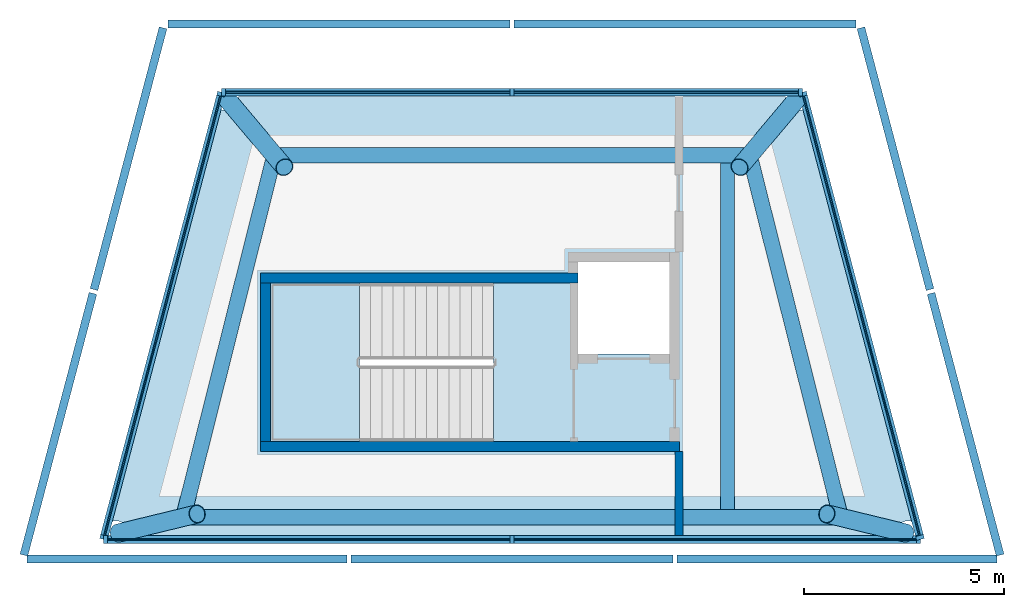
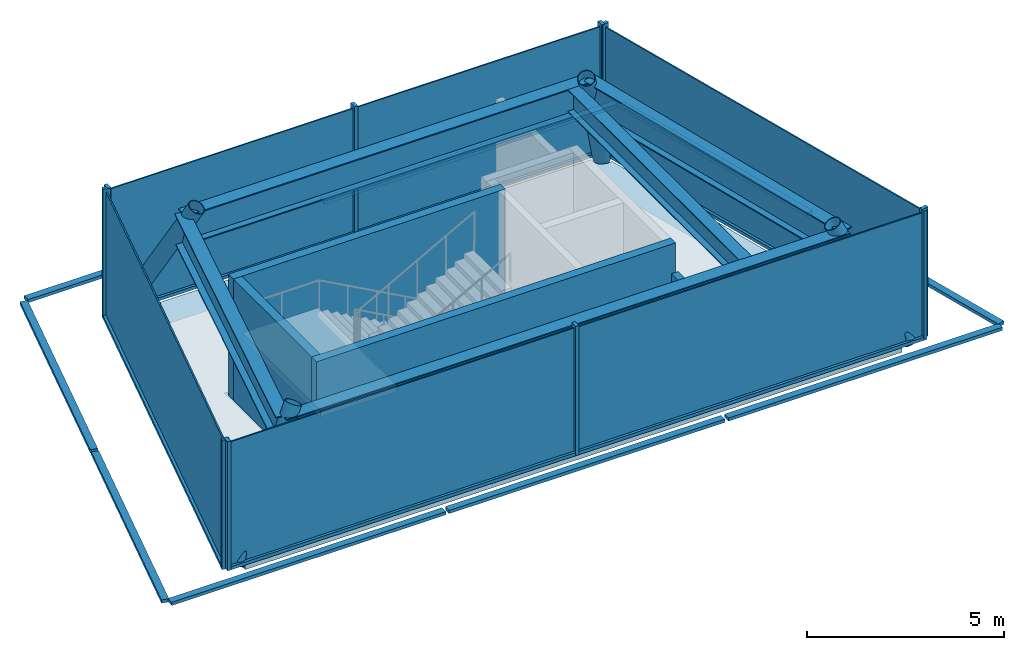
"""IFC4 building model written with IfcOpenShell, lengths in metres."""

import ifcopenshell
import ifcopenshell.guid

model = None  # the IFC model being written
_history = None  # IfcOwnerHistory: only IFC2X3 demands one
_inside = {}  # id of a spatial element -> (the spatial element, [elements in it])
_under = {}  # id of a project, library or spatial element -> (it, [spatial elements below it])
_declared = {}  # id of a project -> (the project, [libraries it declares])
_typed = {}  # id of a type object -> (the type object, [elements of that type])
_made_of = {}  # id of a material, layer set ... -> (it, [elements and type objects made of it])


def new_model(schema):
    """Start an empty IFC model of exactly this schema.

    Asked for "IFC4X3", IfcOpenShell would pick the latest addendum, in which some entities
    have other attributes; the version numbers below select the first issue.
    IFC2X3 requires an IfcOwnerHistory on every rooted entity: one is made here for all.
    """
    global model, _history
    if schema == "IFC4X3":
        model = ifcopenshell.file(schema_version=(4, 3, 0, 0))
    else:
        model = ifcopenshell.file(schema=schema)
    _inside.clear()
    _under.clear()
    _declared.clear()
    _typed.clear()
    _made_of.clear()
    _history = None
    if model.schema == "IFC2X3":
        org = make("IfcOrganization", Name="unknown")
        user = make(
            "IfcPersonAndOrganization",
            ThePerson=make("IfcPerson", FamilyName="unknown"),
            TheOrganization=org,
        )
        app = make(
            "IfcApplication",
            ApplicationDeveloper=org,
            Version="unknown",
            ApplicationFullName="unknown",
            ApplicationIdentifier="unknown",
        )
        _history = make(
            "IfcOwnerHistory",
            OwningUser=user,
            OwningApplication=app,
            ChangeAction="ADDED",
            CreationDate=0,
        )
    return model


def make(cls, **values):
    """One entity of the class cls with the attributes given. An attribute that is None is left unset."""
    return model.create_entity(
        cls, **{name: value for name, value in values.items() if value is not None}
    )


def rooted(cls, **values):
    """An entity with a GlobalId (a new one), such as an element, a storey or a relation."""
    return make(cls, GlobalId=ifcopenshell.guid.new(), OwnerHistory=_history, **values)


def si_unit(unit_type, name, prefix=None):
    """IfcSIUnit, for example si_unit("LENGTHUNIT", "METRE", prefix="MILLI")."""
    return make("IfcSIUnit", UnitType=unit_type, Prefix=prefix, Name=name)


def assignment(units):
    """IfcUnitAssignment: the units of a project."""
    return None if units is None else make("IfcUnitAssignment", Units=units)


def point(xyz):
    """IfcCartesianPoint."""
    return None if xyz is None else make("IfcCartesianPoint", Coordinates=xyz)


def direction(xyz):
    """IfcDirection."""
    return None if xyz is None else make("IfcDirection", DirectionRatios=xyz)


def frame(location, z_axis=None, x_axis=None):
    """IfcAxis2Placement3D, a coordinate frame: its origin and axes. An axis left out is left unset."""
    return make(
        "IfcAxis2Placement3D",
        Location=point(location),
        Axis=direction(z_axis),
        RefDirection=direction(x_axis),
    )


def frame_2d(location, x_axis=None):
    """IfcAxis2Placement2D, a coordinate frame in the plane: its origin and x axis."""
    return make(
        "IfcAxis2Placement2D", Location=point(location), RefDirection=direction(x_axis)
    )


def origin():
    """The frame at (0, 0, 0) with its axes left unset."""
    return frame((0.0, 0.0, 0.0))


def origin_2d():
    """The frame at (0, 0) in the plane with its x axis left unset."""
    return frame_2d((0.0, 0.0))


def place(relative_to, where):
    """IfcLocalPlacement: puts the frame where relative to a parent placement (None: the world)."""
    return make(
        "IfcLocalPlacement", PlacementRelTo=relative_to, RelativePlacement=where
    )


def context(
    kind, dimensions, precision=None, world=None, true_north=None, identifier=None
):
    """IfcGeometricRepresentationContext, for example the 3D "Model" context."""
    return make(
        "IfcGeometricRepresentationContext",
        ContextIdentifier=identifier,
        ContextType=kind,
        CoordinateSpaceDimension=dimensions,
        Precision=precision,
        WorldCoordinateSystem=world,
        TrueNorth=true_north,
    )


def subcontext(parent, identifier, kind, view, scale=None):
    """IfcGeometricRepresentationSubContext, for example "Body" below "Model"."""
    return make(
        "IfcGeometricRepresentationSubContext",
        ContextIdentifier=identifier,
        ContextType=kind,
        ParentContext=parent,
        TargetScale=scale,
        TargetView=view,
    )


def project(units=None, contexts=None):
    """IfcProject with its units and contexts."""
    return rooted(
        "IfcProject",
        Name="project",
        RepresentationContexts=contexts,
        UnitsInContext=assignment(units),
    )


def spatial(cls, under=None, at=None, **own):
    """A site, building, storey or space (cls), placed at a placement, below another one or the project."""
    s = rooted(cls, ObjectPlacement=at, **own)
    if under is not None:
        _under.setdefault(under.id(), (under, []))[1].append(s)
    return s


def polyline(points):
    """IfcPolyline through the points."""
    return make("IfcPolyline", Points=[point(p) for p in points])


def profile(cls, at=None, kind="AREA", **sizes):
    """A parametric profile (cls). Its sizes go by their IFC names, for example OverallWidth=200.0."""
    return make(cls, ProfileType=kind, Position=at, **sizes)


def rectangle(**sizes):
    """IfcRectangleProfileDef."""
    return profile("IfcRectangleProfileDef", **sizes)


def hollow_circle(**sizes):
    """IfcCircleHollowProfileDef."""
    return profile("IfcCircleHollowProfileDef", **sizes)


def i_section(**sizes):
    """IfcIShapeProfileDef."""
    return profile("IfcIShapeProfileDef", **sizes)


def outline(outer, holes=None, kind="AREA"):
    """IfcArbitraryClosedProfileDef: a profile drawn as a closed curve; with holes, ...WithVoids."""
    if holes is None:
        return make("IfcArbitraryClosedProfileDef", ProfileType=kind, OuterCurve=outer)
    return make(
        "IfcArbitraryProfileDefWithVoids",
        ProfileType=kind,
        OuterCurve=outer,
        InnerCurves=holes,
    )


def extrude(swept, where, along, depth):
    """IfcExtrudedAreaSolid: the profile swept, set in the frame where, extruded along a direction by depth."""
    return make(
        "IfcExtrudedAreaSolid",
        SweptArea=swept,
        Position=where,
        ExtrudedDirection=direction(along),
        Depth=depth,
    )


def shape(context_of_items, identifier, shape_type, items):
    """IfcShapeRepresentation: the items that make up one representation, for example the "Body"."""
    return make(
        "IfcShapeRepresentation",
        ContextOfItems=context_of_items,
        RepresentationIdentifier=identifier,
        RepresentationType=shape_type,
        Items=items,
    )


def material(Name=None, Category=None):
    """IfcMaterial."""
    return make("IfcMaterial", Name=Name, Category=Category)


def layer(
    of_material, thickness, ventilated=None, Name=None, Category=None, Priority=None
):
    """IfcMaterialLayer: one layer of a wall or slab, of a material (None: an air gap)."""
    return make(
        "IfcMaterialLayer",
        Material=of_material,
        LayerThickness=thickness,
        IsVentilated=ventilated,
        Name=Name,
        Category=Category,
        Priority=Priority,
    )


def layer_set(layers, Name=None):
    """IfcMaterialLayerSet."""
    return make("IfcMaterialLayerSet", MaterialLayers=layers, LayerSetName=Name)


def material_profile(
    of_material, cross_section, Name=None, Category=None, Priority=None
):
    """IfcMaterialProfile: a cross section and its material."""
    return make(
        "IfcMaterialProfile",
        Name=Name,
        Material=of_material,
        Profile=cross_section,
        Priority=Priority,
        Category=Category,
    )


def profile_set(profiles, Name=None, composite=None):
    """IfcMaterialProfileSet."""
    return make(
        "IfcMaterialProfileSet",
        Name=Name,
        MaterialProfiles=profiles,
        CompositeProfile=composite,
    )


def made_of(thing, what):
    """Note that an element or type object is made of a material, layer set ...; save() writes the relation."""
    if what is not None:
        _made_of.setdefault(what.id(), (what, []))[1].append(thing)
    return thing


def type_object(cls, material=None, **own):
    """A type object (cls), such as IfcWallType, which elements share."""
    return made_of(rooted(cls, **own), material)


def element(
    cls,
    number,
    at=None,
    inside=None,
    cuts=None,
    type_object=None,
    material=None,
    context=None,
    identifier="Body",
    shape_type=None,
    held_by="IfcProductDefinitionShape",
    body=None,
    shapes=None,
    **own,
):
    """One element of the class cls, such as IfcWall. Its Tag is "e" and its number.

    at: its placement. inside: the storey or other place that contains it. cuts: it is an
    opening in that element (IfcRelVoidsElement). A single representation is given by context,
    identifier, shape_type and body (its items); several are given by shapes. held_by: the class
    of the entity that holds the representations. save() writes the other relations.
    """
    e = rooted(cls, Tag="e%d" % number, ObjectPlacement=at, **own)
    if body is not None:
        shapes = [shape(context, identifier, shape_type, body)]
    if shapes is not None:
        e.Representation = make(held_by, Representations=shapes)
    if inside is not None:
        _inside.setdefault(inside.id(), (inside, []))[1].append(e)
    if cuts is not None:
        rooted(
            "IfcRelVoidsElement", RelatingBuildingElement=cuts, RelatedOpeningElement=e
        )
    if type_object is not None:
        _typed.setdefault(type_object.id(), (type_object, []))[1].append(e)
    return made_of(e, material)


def aggregate(whole, parts):
    """IfcRelAggregates: a whole, such as a stair, and the parts it consists of."""
    return rooted("IfcRelAggregates", RelatingObject=whole, RelatedObjects=parts)


def save(model, path):
    """Write the relations noted so far, then the file.

    IfcRelAggregates (storeys below a building ...), IfcRelContainedInSpatialStructure (elements
    in a storey), IfcRelDefinesByType, IfcRelAssociatesMaterial and IfcRelDeclares: one each for
    every whole, place, type object, material and project.
    """
    for whole, parts in _under.values():
        aggregate(whole, parts)
    for where, things in _inside.values():
        rooted(
            "IfcRelContainedInSpatialStructure",
            RelatedElements=things,
            RelatingStructure=where,
        )
    for kind, things in _typed.values():
        rooted("IfcRelDefinesByType", RelatedObjects=things, RelatingType=kind)
    for what, things in _made_of.values():
        rooted("IfcRelAssociatesMaterial", RelatedObjects=things, RelatingMaterial=what)
    for by, libraries in _declared.values():
        rooted("IfcRelDeclares", RelatingContext=by, RelatedDefinitions=libraries)
    model.write(path)


model = new_model("IFC4")

# Units and contexts
model_context = context("Model", 3, precision=1e-05, world=origin(), true_north=direction((0.0, 1.0)))
body_context = subcontext(model_context, "Body", "Model", "MODEL_VIEW")
ifc_project = project(units=[si_unit("LENGTHUNIT", "METRE"), si_unit("AREAUNIT", "SQUARE_METRE"), si_unit("VOLUMEUNIT", "CUBIC_METRE"), si_unit("PLANEANGLEUNIT", "RADIAN"), si_unit("MASSUNIT", "GRAM", prefix="KILO")], contexts=[model_context])

# Site, building, storey
site_placement = place(None, origin())
site = spatial("IfcSite", under=ifc_project, at=site_placement, CompositionType="ELEMENT")
building_placement = place(site_placement, origin())
building = spatial("IfcBuilding", under=site, at=building_placement, Name="Quipu Civic Tower", CompositionType="ELEMENT")
storey_1_placement = place(building_placement, frame((0.0, 0.0, 384.0)))
storey_1 = spatial("IfcBuildingStorey", under=building, at=storey_1_placement, Name="L89", CompositionType="ELEMENT", Elevation=384.0)

# Beam
ifc_material_1 = material(Name="Steel ASTM A992 Grade 50 (fy 345 MPa)", Category="steel")
ifc_material_profile_1 = material_profile(ifc_material_1, i_section(OverallWidth=0.354736328125, OverallDepth=0.695556640625, WebThickness=0.015380859375, FlangeThickness=0.02490234375, at=origin_2d()), Name="W690x217")
ifc_profile_set_1 = profile_set([ifc_material_profile_1], Name="Steel ASTM A992 Grade 50 (fy 345 MPa)")
beam_type_1 = type_object("IfcBeamType", Name="Crown floor beam W690x217", PredefinedType="BEAM", material=ifc_profile_set_1)
beam_1_placement = place(storey_1_placement, frame((5.39990234375, -7.9052734375, 3.40234375), z_axis=(0.0, 1.0, 0.0), x_axis=(-1.0, 0.0, 0.0)))
element("IfcBeam", 1, at=beam_1_placement, inside=storey_1, type_object=beam_type_1, Name="Crown floor beam L89 454", PredefinedType="BEAM", context=body_context, shape_type="SweptSolid", body=[
    extrude(i_section(OverallWidth=0.354736328125, OverallDepth=0.695556640625, WebThickness=0.015380859375, FlangeThickness=0.02490234375, at=origin_2d()), origin(), (0.0, 0.0, 1.0), 8.68408203125),
])

# Members
ifc_material_2 = material(Name="Steel ASTM A500 Grade C (fy 345 MPa)", Category="steel")
ifc_material_profile_2 = material_profile(ifc_material_2, hollow_circle(Radius=0.228515625, WallThickness=0.015869140625, at=origin_2d()), Name="HSS457x15.9")
ifc_profile_set_2 = profile_set([ifc_material_profile_2], Name="Steel ASTM A500 Grade C (fy 345 MPa)")
member_type_1 = type_object("IfcMemberType", Name="Crown leg HSS457x15.9", PredefinedType="BRACE", material=ifc_profile_set_2)
for number, where, z_axis, x_axis, name in (
    (2, (-9.859375, -8.490966796875, 0.0), (0.439651535903, 0.106578891581, 0.891822553453), (-0.235593138069, 0.971851775373, 0.0), "Crown leg L89 1"),
    (3, (9.859375, -8.490966796875, 0.0), (-0.439651535903, 0.106578891581, 0.891822553453), (-0.235593138069, -0.971851775373, 0.0), "Crown leg L89 2"),
):
    element("IfcMember", number, at=place(storey_1_placement, frame(where, z_axis=z_axis, x_axis=x_axis)), inside=storey_1, type_object=member_type_1, Name=name, PredefinedType="BRACE", context=body_context, shape_type="SweptSolid", body=[
        extrude(hollow_circle(Radius=0.228515625, WallThickness=0.015869140625, at=origin_2d()), origin(), (0.0, 0.0, 1.0), 4.485107421875),
    ])
for number, where, z_axis, x_axis, name in (
    (4, (7.1259765625, 2.364990234375, 0.0), (-0.31173974272, -0.370327801271, 0.875028943758), (0.765028489332, -0.643996436722, 0.0), "Crown leg L89 3"),
    (5, (-7.1259765625, 2.364990234375, 0.0), (0.31173974272, -0.370327801271, 0.875028943758), (0.765028489332, 0.643996436722, 0.0), "Crown leg L89 4"),
):
    element("IfcMember", number, at=place(storey_1_placement, frame(where, z_axis=z_axis, x_axis=x_axis)), inside=storey_1, type_object=member_type_1, Name=name, PredefinedType="BRACE", context=body_context, shape_type="SweptSolid", body=[
        extrude(hollow_circle(Radius=0.228515625, WallThickness=0.015869140625, at=origin_2d()), origin(), (0.0, 0.0, 1.0), 4.5712890625),
    ])

# Beams
ifc_material_3 = material(Name="Steel ASTM A992 Grade 50 (fy 345 MPa)", Category="steel")
ifc_material_profile_3 = material_profile(ifc_material_3, i_section(OverallWidth=0.384033203125, OverallDepth=0.911865234375, WebThickness=0.019287109375, FlangeThickness=0.031982421875, at=origin_2d()), Name="W920x342")
ifc_profile_set_3 = profile_set([ifc_material_profile_3], Name="Steel ASTM A992 Grade 50 (fy 345 MPa)")
beam_type_2 = type_object("IfcBeamType", Name="Crown ring girder W920x342", PredefinedType="BEAM", material=ifc_profile_set_3)
beam_2_placement = place(storey_1_placement, frame((-8.235595703125, -8.09716796875, 3.294189453125), z_axis=(1.0, 0.0, 0.0), x_axis=(0.0, 1.0, 0.0)))
element("IfcBeam", 6, at=beam_2_placement, inside=storey_1, type_object=beam_type_2, Name="Crown ring girder L89 1 to 2", PredefinedType="BEAM", context=body_context, shape_type="SweptSolid", body=[
    extrude(i_section(OverallWidth=0.384033203125, OverallDepth=0.911865234375, WebThickness=0.019287109375, FlangeThickness=0.031982421875, at=origin_2d()), origin(), (0.0, 0.0, 1.0), 16.47119140625),
])
beam_3_placement = place(storey_1_placement, frame((8.235595703125, -8.09716796875, 3.294189453125), z_axis=(-0.244169383934, 0.969732598168, 0.0), x_axis=(-0.969732598168, -0.244169383934, 0.0)))
element("IfcBeam", 7, at=beam_3_placement, inside=storey_1, type_object=beam_type_2, Name="Crown ring girder L89 2 to 3", PredefinedType="BEAM", context=body_context, shape_type="SweptSolid", body=[
    extrude(i_section(OverallWidth=0.384033203125, OverallDepth=0.911865234375, WebThickness=0.019287109375, FlangeThickness=0.031982421875, at=origin_2d()), origin(), (0.0, 0.0, 1.0), 9.350830078125),
])
beam_4_placement = place(storey_1_placement, frame((5.952392578125, 0.970703125, 3.294189453125), z_axis=(-1.0, 0.0, 0.0), x_axis=(0.0, -1.0, 0.0)))
element("IfcBeam", 8, at=beam_4_placement, inside=storey_1, type_object=beam_type_2, Name="Crown ring girder L89 3 to 4", PredefinedType="BEAM", context=body_context, shape_type="SweptSolid", body=[
    extrude(i_section(OverallWidth=0.384033203125, OverallDepth=0.911865234375, WebThickness=0.019287109375, FlangeThickness=0.031982421875, at=origin_2d()), origin(), (0.0, 0.0, 1.0), 11.90478515625),
])
beam_5_placement = place(storey_1_placement, frame((-5.952392578125, 0.970703125, 3.294189453125), z_axis=(-0.244169383934, -0.969732598168, 0.0), x_axis=(0.969732598168, -0.244169383934, 0.0)))
element("IfcBeam", 9, at=beam_5_placement, inside=storey_1, type_object=beam_type_2, Name="Crown ring girder L89 4 to 1", PredefinedType="BEAM", context=body_context, shape_type="SweptSolid", body=[
    extrude(i_section(OverallWidth=0.384033203125, OverallDepth=0.911865234375, WebThickness=0.019287109375, FlangeThickness=0.031982421875, at=origin_2d()), origin(), (0.0, 0.0, 1.0), 9.350830078125),
])

# Curtain wall, members
ifc_material_4 = material(Name="Insulated glass unit", Category="glass")
curtain_wall_type_1 = type_object("IfcCurtainWallType", Name="Crown glass facets CW6", PredefinedType="NOTDEFINED", material=ifc_material_4)
curtain_wall_1_placement = place(storey_1_placement, origin())
curtain_wall_1 = element("IfcCurtainWall", 10, at=curtain_wall_1_placement, inside=storey_1, type_object=curtain_wall_type_1, Name="Crown glass facets CW6 L89 run 1", PredefinedType="NOTDEFINED")
ifc_material_5 = material(Name="Anodised aluminium", Category="aluminium")
ifc_material_profile_4 = material_profile(ifc_material_5, rectangle(XDim=0.199951171875, YDim=0.10009765625, at=origin_2d()), Name="RECT 200x100")
ifc_profile_set_4 = profile_set([ifc_material_profile_4], Name="Anodised aluminium")
member_type_2 = type_object("IfcMemberType", Name="Mullion CW6", PredefinedType="MULLION", material=ifc_profile_set_4)
member_1_placement = place(storey_1_placement, frame((-10.18212890625, -8.64990234375, 0.050048828125), z_axis=(0.0, 0.0, 1.0), x_axis=(0.0, 1.0, 0.0)))
member_1 = element("IfcMember", 11, at=member_1_placement, type_object=member_type_2, Name="CW6 mullion 1", PredefinedType="MULLION", context=body_context, shape_type="SweptSolid", body=[
    extrude(rectangle(XDim=0.199951171875, YDim=0.10009765625, at=origin_2d()), origin(), (0.0, 0.0, 1.0), 4.0),
])
member_2_placement = place(storey_1_placement, frame((0.0, -8.64990234375, 0.050048828125), z_axis=(0.0, 0.0, 1.0), x_axis=(0.0, 1.0, 0.0)))
member_2 = element("IfcMember", 12, at=member_2_placement, type_object=member_type_2, Name="CW6 mullion 2", PredefinedType="MULLION", context=body_context, shape_type="SweptSolid", body=[
    extrude(rectangle(XDim=0.199951171875, YDim=0.10009765625, at=origin_2d()), origin(), (0.0, 0.0, 1.0), 4.0),
])
member_3_placement = place(storey_1_placement, frame((10.18212890625, -8.64990234375, 0.050048828125), z_axis=(0.0, 0.0, 1.0), x_axis=(0.0, 1.0, 0.0)))
member_3 = element("IfcMember", 13, at=member_3_placement, type_object=member_type_2, Name="CW6 mullion 3", PredefinedType="MULLION", context=body_context, shape_type="SweptSolid", body=[
    extrude(rectangle(XDim=0.199951171875, YDim=0.10009765625, at=origin_2d()), origin(), (0.0, 0.0, 1.0), 4.0),
])

curtain_wall_2_placement = place(storey_1_placement, origin())
curtain_wall_2 = element("IfcCurtainWall", 14, at=curtain_wall_2_placement, inside=storey_1, type_object=curtain_wall_type_1, Name="Crown glass facets CW6 L89 run 3", PredefinedType="NOTDEFINED")
member_4_placement = place(storey_1_placement, frame((7.224609375, 2.550048828125, 0.050048828125), z_axis=(0.0, 0.0, 1.0), x_axis=(0.0, -1.0, 0.0)))
member_4 = element("IfcMember", 15, at=member_4_placement, type_object=member_type_2, Name="CW6 mullion 1", PredefinedType="MULLION", context=body_context, shape_type="SweptSolid", body=[
    extrude(rectangle(XDim=0.199951171875, YDim=0.10009765625, at=origin_2d()), origin(), (0.0, 0.0, 1.0), 4.0),
])
member_5_placement = place(storey_1_placement, frame((0.0, 2.550048828125, 0.050048828125), z_axis=(0.0, 0.0, 1.0), x_axis=(0.0, -1.0, 0.0)))
member_5 = element("IfcMember", 16, at=member_5_placement, type_object=member_type_2, Name="CW6 mullion 2", PredefinedType="MULLION", context=body_context, shape_type="SweptSolid", body=[
    extrude(rectangle(XDim=0.199951171875, YDim=0.10009765625, at=origin_2d()), origin(), (0.0, 0.0, 1.0), 4.0),
])
member_6_placement = place(storey_1_placement, frame((-7.224609375, 2.550048828125, 0.050048828125), z_axis=(0.0, 0.0, 1.0), x_axis=(0.0, -1.0, 0.0)))
member_6 = element("IfcMember", 17, at=member_6_placement, type_object=member_type_2, Name="CW6 mullion 3", PredefinedType="MULLION", context=body_context, shape_type="SweptSolid", body=[
    extrude(rectangle(XDim=0.199951171875, YDim=0.10009765625, at=origin_2d()), origin(), (0.0, 0.0, 1.0), 4.0),
])

ifc_material_6 = material(Name="Anodised aluminium insulated panel", Category="aluminium")
curtain_wall_type_2 = type_object("IfcCurtainWallType", Name="Insulated infill wall CW6I", PredefinedType="NOTDEFINED", material=ifc_material_6)
curtain_wall_3_placement = place(storey_1_placement, origin())
curtain_wall_3 = element("IfcCurtainWall", 18, at=curtain_wall_3_placement, inside=storey_1, type_object=curtain_wall_type_2, Name="Insulated infill wall CW6I L89 run 2", PredefinedType="NOTDEFINED")
ifc_material_7 = material(Name="Anodised aluminium", Category="aluminium")
ifc_material_profile_5 = material_profile(ifc_material_7, rectangle(XDim=0.199951171875, YDim=0.10009765625, at=origin_2d()), Name="RECT 200x100")
ifc_profile_set_5 = profile_set([ifc_material_profile_5], Name="Anodised aluminium")
member_type_3 = type_object("IfcMemberType", Name="Mullion CW6I", PredefinedType="MULLION", material=ifc_profile_set_5)
member_7_placement = place(storey_1_placement, frame((10.219482421875, -8.6015625, 0.050048828125), z_axis=(0.0, 0.0, 1.0), x_axis=(-0.96685680271, -0.255319257114, 0.0)))
member_7 = element("IfcMember", 19, at=member_7_placement, type_object=member_type_3, Name="CW6I mullion 1", PredefinedType="MULLION", context=body_context, shape_type="SweptSolid", body=[
    extrude(rectangle(XDim=0.199951171875, YDim=0.10009765625, at=origin_2d()), origin(), (0.0, 0.0, 1.0), 4.0),
])
member_8_placement = place(storey_1_placement, frame((7.287353515625, 2.501708984375, 0.050048828125), z_axis=(0.0, 0.0, 1.0), x_axis=(-0.96685680271, -0.255319257114, 0.0)))
member_8 = element("IfcMember", 20, at=member_8_placement, type_object=member_type_3, Name="CW6I mullion 2", PredefinedType="MULLION", context=body_context, shape_type="SweptSolid", body=[
    extrude(rectangle(XDim=0.199951171875, YDim=0.10009765625, at=origin_2d()), origin(), (0.0, 0.0, 1.0), 4.0),
])

curtain_wall_4_placement = place(storey_1_placement, origin())
curtain_wall_4 = element("IfcCurtainWall", 21, at=curtain_wall_4_placement, inside=storey_1, type_object=curtain_wall_type_2, Name="Insulated infill wall CW6I L89 run 4", PredefinedType="NOTDEFINED")
member_9_placement = place(storey_1_placement, frame((-7.287353515625, 2.501708984375, 0.050048828125), z_axis=(0.0, 0.0, 1.0), x_axis=(0.96685680271, -0.255319257114, 0.0)))
member_9 = element("IfcMember", 22, at=member_9_placement, type_object=member_type_3, Name="CW6I mullion 1", PredefinedType="MULLION", context=body_context, shape_type="SweptSolid", body=[
    extrude(rectangle(XDim=0.199951171875, YDim=0.10009765625, at=origin_2d()), origin(), (0.0, 0.0, 1.0), 4.0),
])
member_10_placement = place(storey_1_placement, frame((-10.219482421875, -8.6015625, 0.050048828125), z_axis=(0.0, 0.0, 1.0), x_axis=(0.96685680271, -0.255319257114, 0.0)))
member_10 = element("IfcMember", 23, at=member_10_placement, type_object=member_type_3, Name="CW6I mullion 2", PredefinedType="MULLION", context=body_context, shape_type="SweptSolid", body=[
    extrude(rectangle(XDim=0.199951171875, YDim=0.10009765625, at=origin_2d()), origin(), (0.0, 0.0, 1.0), 4.0),
])

# Storey
storey_2_placement = place(building_placement, frame((0.0, 0.0, 380.0)))
storey_2 = spatial("IfcBuildingStorey", under=building, at=storey_2_placement, Name="L88", CompositionType="ELEMENT", Elevation=380.0)

# Curtain wall, members
curtain_wall_5_placement = place(storey_2_placement, origin())
curtain_wall_5 = element("IfcCurtainWall", 24, at=curtain_wall_5_placement, inside=storey_2, type_object=curtain_wall_type_1, Name="Crown glass facets CW6 L88 run 1", PredefinedType="NOTDEFINED")
ifc_material_8 = material(Name="Anodised aluminium", Category="aluminium")
ifc_material_profile_6 = material_profile(ifc_material_8, rectangle(XDim=0.199951171875, YDim=0.10009765625, at=origin_2d()), Name="RECT 200x100")
ifc_profile_set_6 = profile_set([ifc_material_profile_6], Name="Anodised aluminium")
member_type_4 = type_object("IfcMemberType", Name="Transom CW6", PredefinedType="USERDEFINED", material=ifc_profile_set_6)
member_11_placement = place(storey_1_placement, frame((-12.152587890625, -9.139892578125, 0.0), z_axis=(1.0, 0.0, 0.0), x_axis=(0.0, 1.0, 0.0)))
member_11 = element("IfcMember", 25, at=member_11_placement, inside=storey_1, type_object=member_type_4, Name="CW6 transom 1.2", ObjectType="TRANSOM", PredefinedType="USERDEFINED", context=body_context, shape_type="SweptSolid", body=[
    extrude(rectangle(XDim=0.199951171875, YDim=0.10009765625, at=origin_2d()), origin(), (0.0, 0.0, 1.0), 8.018310546875),
])
member_12_placement = place(storey_1_placement, frame((-4.0341796875, -9.139892578125, 0.0), z_axis=(1.0, 0.0, 0.0), x_axis=(0.0, 1.0, 0.0)))
member_12 = element("IfcMember", 26, at=member_12_placement, inside=storey_1, type_object=member_type_4, Name="CW6 transom 2.2", ObjectType="TRANSOM", PredefinedType="USERDEFINED", context=body_context, shape_type="SweptSolid", body=[
    extrude(rectangle(XDim=0.199951171875, YDim=0.10009765625, at=origin_2d()), origin(), (0.0, 0.0, 1.0), 8.068359375),
])
member_13_placement = place(storey_1_placement, frame((4.13427734375, -9.139892578125, 0.0), z_axis=(1.0, 0.0, 0.0), x_axis=(0.0, 1.0, 0.0)))
member_13 = element("IfcMember", 27, at=member_13_placement, inside=storey_1, type_object=member_type_4, Name="CW6 transom 3.2", ObjectType="TRANSOM", PredefinedType="USERDEFINED", context=body_context, shape_type="SweptSolid", body=[
    extrude(rectangle(XDim=0.199951171875, YDim=0.10009765625, at=origin_2d()), origin(), (0.0, 0.0, 1.0), 8.018310546875),
])
aggregate(curtain_wall_5, [member_11, member_12, member_13])

curtain_wall_6_placement = place(storey_2_placement, origin())
curtain_wall_6 = element("IfcCurtainWall", 28, at=curtain_wall_6_placement, inside=storey_2, type_object=curtain_wall_type_1, Name="Crown glass facets CW6 L88 run 3", PredefinedType="NOTDEFINED")
member_14_placement = place(storey_1_placement, frame((8.614013671875, 4.260009765625, 0.0), z_axis=(-1.0, 0.0, 0.0), x_axis=(0.0, -1.0, 0.0)))
member_14 = element("IfcMember", 29, at=member_14_placement, inside=storey_1, type_object=member_type_4, Name="CW6 transom 1.2", ObjectType="TRANSOM", PredefinedType="USERDEFINED", context=body_context, shape_type="SweptSolid", body=[
    extrude(rectangle(XDim=0.199951171875, YDim=0.10009765625, at=origin_2d()), origin(), (0.0, 0.0, 1.0), 8.56396484375),
])
member_15_placement = place(storey_1_placement, frame((-0.050048828125, 4.260009765625, 0.0), z_axis=(-1.0, 0.0, 0.0), x_axis=(0.0, -1.0, 0.0)))
member_15 = element("IfcMember", 30, at=member_15_placement, inside=storey_1, type_object=member_type_4, Name="CW6 transom 2.2", ObjectType="TRANSOM", PredefinedType="USERDEFINED", context=body_context, shape_type="SweptSolid", body=[
    extrude(rectangle(XDim=0.199951171875, YDim=0.10009765625, at=origin_2d()), origin(), (0.0, 0.0, 1.0), 8.56396484375),
])
aggregate(curtain_wall_6, [member_14, member_15])

# Member
member_16_placement = place(storey_1_placement, frame((-10.132080078125, -8.64990234375, 0.10009765625), z_axis=(1.0, 0.0, 0.0), x_axis=(0.0, 1.0, 0.0)))
member_16 = element("IfcMember", 31, at=member_16_placement, type_object=member_type_4, Name="CW6 transom 1.1", ObjectType="TRANSOM", PredefinedType="USERDEFINED", context=body_context, shape_type="SweptSolid", body=[
    extrude(rectangle(XDim=0.199951171875, YDim=0.10009765625, at=origin_2d()), origin(), (0.0, 0.0, 1.0), 10.08203125),
])

member_17_placement = place(storey_1_placement, frame((0.050048828125, -8.64990234375, 0.10009765625), z_axis=(1.0, 0.0, 0.0), x_axis=(0.0, 1.0, 0.0)))
member_17 = element("IfcMember", 32, at=member_17_placement, type_object=member_type_4, Name="CW6 transom 2.1", ObjectType="TRANSOM", PredefinedType="USERDEFINED", context=body_context, shape_type="SweptSolid", body=[
    extrude(rectangle(XDim=0.199951171875, YDim=0.10009765625, at=origin_2d()), origin(), (0.0, 0.0, 1.0), 10.08203125),
])

member_18_placement = place(storey_1_placement, frame((7.174560546875, 2.550048828125, 0.10009765625), z_axis=(-1.0, 0.0, 0.0), x_axis=(0.0, -1.0, 0.0)))
member_18 = element("IfcMember", 33, at=member_18_placement, type_object=member_type_4, Name="CW6 transom 1.1", ObjectType="TRANSOM", PredefinedType="USERDEFINED", context=body_context, shape_type="SweptSolid", body=[
    extrude(rectangle(XDim=0.199951171875, YDim=0.10009765625, at=origin_2d()), origin(), (0.0, 0.0, 1.0), 7.12451171875),
])

member_19_placement = place(storey_1_placement, frame((-0.050048828125, 2.550048828125, 0.10009765625), z_axis=(-1.0, 0.0, 0.0), x_axis=(0.0, -1.0, 0.0)))
member_19 = element("IfcMember", 34, at=member_19_placement, type_object=member_type_4, Name="CW6 transom 2.1", ObjectType="TRANSOM", PredefinedType="USERDEFINED", context=body_context, shape_type="SweptSolid", body=[
    extrude(rectangle(XDim=0.199951171875, YDim=0.10009765625, at=origin_2d()), origin(), (0.0, 0.0, 1.0), 7.12451171875),
])

# Curtain wall, members
curtain_wall_7_placement = place(storey_2_placement, origin())
curtain_wall_7 = element("IfcCurtainWall", 35, at=curtain_wall_7_placement, inside=storey_2, type_object=curtain_wall_type_2, Name="Insulated infill wall CW6I L88 run 2", PredefinedType="NOTDEFINED")
ifc_material_9 = material(Name="Anodised aluminium", Category="aluminium")
ifc_material_profile_7 = material_profile(ifc_material_9, rectangle(XDim=0.199951171875, YDim=0.10009765625, at=origin_2d()), Name="RECT 200x100")
ifc_profile_set_7 = profile_set([ifc_material_profile_7], Name="Anodised aluminium")
member_type_5 = type_object("IfcMemberType", Name="Transom CW6I", PredefinedType="USERDEFINED", material=ifc_profile_set_7)
member_20_placement = place(storey_1_placement, frame((12.22705078125, -9.043212890625, 0.0), z_axis=(-0.255317446503, 0.966857280839, 0.0), x_axis=(-0.966857280839, -0.255317446503, 0.0)))
member_20 = element("IfcMember", 36, at=member_20_placement, inside=storey_1, type_object=member_type_5, Name="CW6I transom 1.2", ObjectType="TRANSOM", PredefinedType="USERDEFINED", context=body_context, shape_type="SweptSolid", body=[
    extrude(rectangle(XDim=0.199951171875, YDim=0.10009765625, at=origin_2d()), origin(), (0.0, 0.0, 1.0), 6.779541015625),
])
member_21_placement = place(storey_1_placement, frame((10.470703125, -2.3916015625, 0.0), z_axis=(-0.255317446503, 0.966857280839, 0.0), x_axis=(-0.966857280839, -0.255317446503, 0.0)))
member_21 = element("IfcMember", 37, at=member_21_placement, inside=storey_1, type_object=member_type_5, Name="CW6I transom 2.2", ObjectType="TRANSOM", PredefinedType="USERDEFINED", context=body_context, shape_type="SweptSolid", body=[
    extrude(rectangle(XDim=0.199951171875, YDim=0.10009765625, at=origin_2d()), origin(), (0.0, 0.0, 1.0), 6.779541015625),
])
aggregate(curtain_wall_7, [member_20, member_21])

curtain_wall_8_placement = place(storey_2_placement, origin())
curtain_wall_8 = element("IfcCurtainWall", 38, at=curtain_wall_8_placement, inside=storey_2, type_object=curtain_wall_type_2, Name="Insulated infill wall CW6I L88 run 4", PredefinedType="NOTDEFINED")
member_22_placement = place(storey_1_placement, frame((-8.73974609375, 4.163330078125, 0.0), z_axis=(-0.255317446503, -0.966857280839, 0.0), x_axis=(0.966857280839, -0.255317446503, 0.0)))
member_22 = element("IfcMember", 39, at=member_22_placement, inside=storey_1, type_object=member_type_5, Name="CW6I transom 1.2", ObjectType="TRANSOM", PredefinedType="USERDEFINED", context=body_context, shape_type="SweptSolid", body=[
    extrude(rectangle(XDim=0.199951171875, YDim=0.10009765625, at=origin_2d()), origin(), (0.0, 0.0, 1.0), 6.779541015625),
])
member_23_placement = place(storey_1_placement, frame((-10.49609375, -2.48828125, 0.0), z_axis=(-0.255317446503, -0.966857280839, 0.0), x_axis=(0.966857280839, -0.255317446503, 0.0)))
member_23 = element("IfcMember", 40, at=member_23_placement, inside=storey_1, type_object=member_type_5, Name="CW6I transom 2.2", ObjectType="TRANSOM", PredefinedType="USERDEFINED", context=body_context, shape_type="SweptSolid", body=[
    extrude(rectangle(XDim=0.199951171875, YDim=0.10009765625, at=origin_2d()), origin(), (0.0, 0.0, 1.0), 6.779541015625),
])
aggregate(curtain_wall_8, [member_22, member_23])

# Member
member_24_placement = place(storey_1_placement, frame((10.206787109375, -8.55322265625, 0.10009765625), z_axis=(-0.255336654464, 0.9668522084, 0.0), x_axis=(-0.9668522084, -0.255336654464, 0.0)))
member_24 = element("IfcMember", 41, at=member_24_placement, type_object=member_type_5, Name="CW6I transom 1.1", ObjectType="TRANSOM", PredefinedType="USERDEFINED", context=body_context, shape_type="SweptSolid", body=[
    extrude(rectangle(XDim=0.199951171875, YDim=0.10009765625, at=origin_2d()), origin(), (0.0, 0.0, 1.0), 11.384033203125),
])

member_25_placement = place(storey_1_placement, frame((-7.300048828125, 2.453369140625, 0.10009765625), z_axis=(-0.255336654464, -0.9668522084, 0.0), x_axis=(0.9668522084, -0.255336654464, 0.0)))
member_25 = element("IfcMember", 42, at=member_25_placement, type_object=member_type_5, Name="CW6I transom 1.1", ObjectType="TRANSOM", PredefinedType="USERDEFINED", context=body_context, shape_type="SweptSolid", body=[
    extrude(rectangle(XDim=0.199951171875, YDim=0.10009765625, at=origin_2d()), origin(), (0.0, 0.0, 1.0), 11.384033203125),
])

# Slab
ifc_material_10 = material(Name="Concrete C40/50", Category="concrete")
ifc_layer_1 = layer(ifc_material_10, 0.25)
ifc_layer_set_1 = layer_set([ifc_layer_1], Name="Concrete C40/50")
slab_type_1 = type_object("IfcSlabType", Name="Crown floor slab 250 C40/50", PredefinedType="FLOOR", material=ifc_layer_set_1)
slab_1_placement = place(storey_1_placement, frame((0.0, 0.0, -0.25)))
element("IfcSlab", 43, at=slab_1_placement, inside=storey_1, type_object=slab_type_1, Name="Crown floor slab L89", PredefinedType="FLOOR", context=body_context, shape_type="SweptSolid", body=[
    extrude(outline(polyline([(-9.60009765625, -8.5048828125), (-9.60498046875, -8.445068359375), (-9.639892578125, -8.35498046875), (-9.695068359375, -8.280029296875), (-9.7451171875, -8.239990234375), (-9.800048828125, -8.2099609375), (-9.860107421875, -8.18994140625), (-9.919921875, -8.18505859375), (-9.985107421875, -8.18994140625), (-10.010009765625, -8.199951171875), (-7.284912109375, 2.1201171875), (-7.264892578125, 2.110107421875), (-7.199951171875, 2.10009765625), (-7.139892578125, 2.10009765625), (-7.050048828125, 2.1201171875), (-6.9951171875, 2.14990234375), (-6.945068359375, 2.18994140625), (-6.905029296875, 2.239990234375), (-6.875, 2.294921875), (-6.85009765625, 2.385009765625), (-6.85009765625, 2.449951171875), (6.85009765625, 2.449951171875), (6.85009765625, 2.385009765625), (6.875, 2.294921875), (6.905029296875, 2.239990234375), (6.945068359375, 2.18994140625), (6.9951171875, 2.14990234375), (7.050048828125, 2.1201171875), (7.139892578125, 2.10009765625), (7.199951171875, 2.10009765625), (7.264892578125, 2.110107421875), (7.284912109375, 2.1201171875), (10.010009765625, -8.199951171875), (9.985107421875, -8.18994140625), (9.919921875, -8.18505859375), (9.860107421875, -8.18994140625), (9.77001953125, -8.22509765625), (9.695068359375, -8.280029296875), (9.639892578125, -8.35498046875), (9.614990234375, -8.4150390625), (9.60498046875, -8.445068359375), (9.60009765625, -8.5048828125), (9.60498046875, -8.550048828125), (-9.60498046875, -8.550048828125), (-9.60009765625, -8.5048828125)]), holes=[polyline([(-6.044921875, -2.235107421875), (-6.044921875, -6.195068359375), (-0.465087890625, -6.195068359375), (-0.465087890625, -2.235107421875), (-6.044921875, -2.235107421875)]), polyline([(3.949951171875, -1.699951171875), (1.64990234375, -1.699951171875), (1.64990234375, -4.0), (3.949951171875, -4.0), (3.949951171875, -1.699951171875)])]), origin(), (0.0, 0.0, 1.0), 0.25),
])

# Plate
ifc_material_11 = material(Name="Insulated glass unit", Category="glass")
ifc_layer_2 = layer(ifc_material_11, 0.0400390625)
ifc_layer_set_2 = layer_set([ifc_layer_2], Name="Insulated glass unit")
plate_type_1 = type_object("IfcPlateType", Name="Glass panel CW6", PredefinedType="CURTAIN_PANEL", material=ifc_layer_set_2)
plate_1_placement = place(storey_1_placement, frame((-5.091064453125, -8.64990234375, 0.14990234375), z_axis=(0.0, 0.0, 1.0), x_axis=(1.0, 0.0, 0.0)))
plate_1 = element("IfcPlate", 44, at=plate_1_placement, type_object=plate_type_1, Name="CW6 panel 1.1", PredefinedType="CURTAIN_PANEL", context=body_context, shape_type="SweptSolid", body=[
    extrude(rectangle(XDim=10.082275390625, YDim=0.0400390625, at=origin_2d()), origin(), (0.0, 0.0, 1.0), 3.800048828125),
])

plate_2_placement = place(storey_1_placement, frame((5.091064453125, -8.64990234375, 0.14990234375), z_axis=(0.0, 0.0, 1.0), x_axis=(1.0, 0.0, 0.0)))
plate_2 = element("IfcPlate", 45, at=plate_2_placement, type_object=plate_type_1, Name="CW6 panel 2.1", PredefinedType="CURTAIN_PANEL", context=body_context, shape_type="SweptSolid", body=[
    extrude(rectangle(XDim=10.082275390625, YDim=0.0400390625, at=origin_2d()), origin(), (0.0, 0.0, 1.0), 3.800048828125),
])

aggregate(curtain_wall_1, [member_1, member_2, member_3, member_16, plate_1, member_17, plate_2])

plate_3_placement = place(storey_1_placement, frame((3.6123046875, 2.550048828125, 0.14990234375), z_axis=(0.0, 0.0, 1.0), x_axis=(-1.0, 0.0, 0.0)))
plate_3 = element("IfcPlate", 46, at=plate_3_placement, type_object=plate_type_1, Name="CW6 panel 1.1", PredefinedType="CURTAIN_PANEL", context=body_context, shape_type="SweptSolid", body=[
    extrude(rectangle(XDim=7.12451171875, YDim=0.0400390625, at=origin_2d()), origin(), (0.0, 0.0, 1.0), 3.800048828125),
])

plate_4_placement = place(storey_1_placement, frame((-3.6123046875, 2.550048828125, 0.14990234375), z_axis=(0.0, 0.0, 1.0), x_axis=(-1.0, 0.0, 0.0)))
plate_4 = element("IfcPlate", 47, at=plate_4_placement, type_object=plate_type_1, Name="CW6 panel 2.1", PredefinedType="CURTAIN_PANEL", context=body_context, shape_type="SweptSolid", body=[
    extrude(rectangle(XDim=7.12451171875, YDim=0.0400390625, at=origin_2d()), origin(), (0.0, 0.0, 1.0), 3.800048828125),
])

aggregate(curtain_wall_2, [member_4, member_5, member_6, member_18, plate_3, member_19, plate_4])

ifc_material_12 = material(Name="Anodised aluminium insulated panel", Category="aluminium")
ifc_layer_3 = layer(ifc_material_12, 0.0400390625)
ifc_layer_set_3 = layer_set([ifc_layer_3], Name="Anodised aluminium insulated panel")
plate_type_2 = type_object("IfcPlateType", Name="Insulated panel CW6I", PredefinedType="CURTAIN_PANEL", material=ifc_layer_set_3)
plate_5_placement = place(storey_1_placement, frame((8.75341796875, -3.050048828125, 0.14990234375), z_axis=(0.0, 0.0, 1.0), x_axis=(-0.255319257114, 0.96685680271, 0.0)))
plate_5 = element("IfcPlate", 48, at=plate_5_placement, type_object=plate_type_2, Name="CW6I panel 1.1", PredefinedType="CURTAIN_PANEL", context=body_context, shape_type="SweptSolid", body=[
    extrude(rectangle(XDim=11.384033203125, YDim=0.0400390625, at=origin_2d()), origin(), (0.0, 0.0, 1.0), 3.800048828125),
])

aggregate(curtain_wall_3, [member_7, member_8, member_24, plate_5])

plate_6_placement = place(storey_1_placement, frame((-8.75341796875, -3.050048828125, 0.14990234375), z_axis=(0.0, 0.0, 1.0), x_axis=(-0.255319257114, -0.96685680271, 0.0)))
plate_6 = element("IfcPlate", 49, at=plate_6_placement, type_object=plate_type_2, Name="CW6I panel 1.1", PredefinedType="CURTAIN_PANEL", context=body_context, shape_type="SweptSolid", body=[
    extrude(rectangle(XDim=11.384033203125, YDim=0.0400390625, at=origin_2d()), origin(), (0.0, 0.0, 1.0), 3.800048828125),
])

aggregate(curtain_wall_4, [member_9, member_10, member_25, plate_6])

# Stair, slab
ifc_material_13 = material(Name="Concrete C40/50", Category="concrete")
stair_type = type_object("IfcStairType", Name="Half turn stair 1910", PredefinedType="HALF_TURN_STAIR", material=ifc_material_13)
stair_placement = place(storey_1_placement, origin())
stair = element("IfcStair", 50, at=stair_placement, inside=storey_1, type_object=stair_type, Name="Crown access stair", PredefinedType="HALF_TURN_STAIR")
ifc_material_14 = material(Name="Concrete C40/50", Category="concrete")
ifc_layer_4 = layer(ifc_material_14, 0.199951171875)
ifc_layer_set_4 = layer_set([ifc_layer_4], Name="Concrete C40/50")
slab_type_2 = type_object("IfcSlabType", Name="Stair landing 200", PredefinedType="LANDING", material=ifc_layer_set_4)
slab_2_placement = place(storey_1_placement, frame((0.0, 0.0, 1.800048828125)))
slab_2 = element("IfcSlab", 51, at=slab_2_placement, type_object=slab_type_2, Name="ST-5 landing 1", PredefinedType="LANDING", context=body_context, shape_type="SweptSolid", body=[
    extrude(outline(polyline([(-3.820068359375, -2.22998046875), (-6.050048828125, -2.22998046875), (-6.050048828125, -6.199951171875), (-3.820068359375, -6.199951171875), (-3.820068359375, -2.22998046875)])), origin(), (0.0, 0.0, 1.0), 0.199951171875),
])
aggregate(stair, [slab_2])

# Walls
ifc_material_15 = material(Name="Fired clay blockwork", Category="masonry")
ifc_layer_5 = layer(ifc_material_15, 0.199951171875)
ifc_layer_set_5 = layer_set([ifc_layer_5], Name="Fired clay blockwork")
wall_type_1 = type_object("IfcWallType", Name="Blockwork wall 200", PredefinedType="SOLIDWALL", material=ifc_layer_set_5)
wall_1_placement = place(storey_1_placement, frame((4.179931640625, -8.550048828125, 0.0), z_axis=(0.0, 0.0, 1.0), x_axis=(0.0, 1.0, 0.0)))
element("IfcWall", 52, at=wall_1_placement, inside=storey_1, type_object=wall_type_1, Name="Partition P01", PredefinedType="SOLIDWALL", context=body_context, shape_type="SweptSolid", body=[
    extrude(rectangle(XDim=2.10009765625, YDim=0.199951171875, at=frame_2d((1.050048828125, 0.0))), origin(), (0.0, 0.0, 1.0), 2.838134765625),
])
ifc_material_16 = material(Name="Concrete C70/85", Category="concrete")
ifc_layer_6 = layer(ifc_material_16, 0.25)
ifc_layer_set_6 = layer_set([ifc_layer_6], Name="Concrete C70/85")
wall_type_2 = type_object("IfcWallType", Name="Core wall 250", PredefinedType="SHEAR", material=ifc_layer_set_6)
wall_2_placement = place(storey_1_placement, frame((-6.300048828125, -6.324951171875, 0.0), z_axis=(0.0, 0.0, 1.0), x_axis=(1.0, 0.0, 0.0)))
element("IfcWall", 53, at=wall_2_placement, inside=storey_1, type_object=wall_type_2, Name="Core wall", PredefinedType="SHEAR", context=body_context, shape_type="SweptSolid", body=[
    extrude(rectangle(XDim=10.5, YDim=0.25, at=frame_2d((5.25, 0.0))), origin(), (0.0, 0.0, 1.0), 3.75),
])
wall_3_placement = place(storey_1_placement, frame((-6.175048828125, -6.199951171875, 0.0), z_axis=(0.0, 0.0, 1.0), x_axis=(0.0, 1.0, 0.0)))
element("IfcWall", 54, at=wall_3_placement, inside=storey_1, type_object=wall_type_2, Name="Core wall", PredefinedType="SHEAR", context=body_context, shape_type="SweptSolid", body=[
    extrude(rectangle(XDim=3.969970703125, YDim=0.25, at=frame_2d((1.98486328125, 0.0))), origin(), (0.0, 0.0, 1.0), 3.75),
])
wall_4_placement = place(storey_1_placement, frame((-6.300048828125, -2.10498046875, 0.0), z_axis=(0.0, 0.0, 1.0), x_axis=(1.0, 0.0, 0.0)))
element("IfcWall", 55, at=wall_4_placement, inside=storey_1, type_object=wall_type_2, Name="Core wall", PredefinedType="SHEAR", context=body_context, shape_type="SweptSolid", body=[
    extrude(rectangle(XDim=7.949951171875, YDim=0.25, at=frame_2d((3.97509765625, 0.0))), origin(), (0.0, 0.0, 1.0), 3.75),
])

save(model, "model.ifc")
